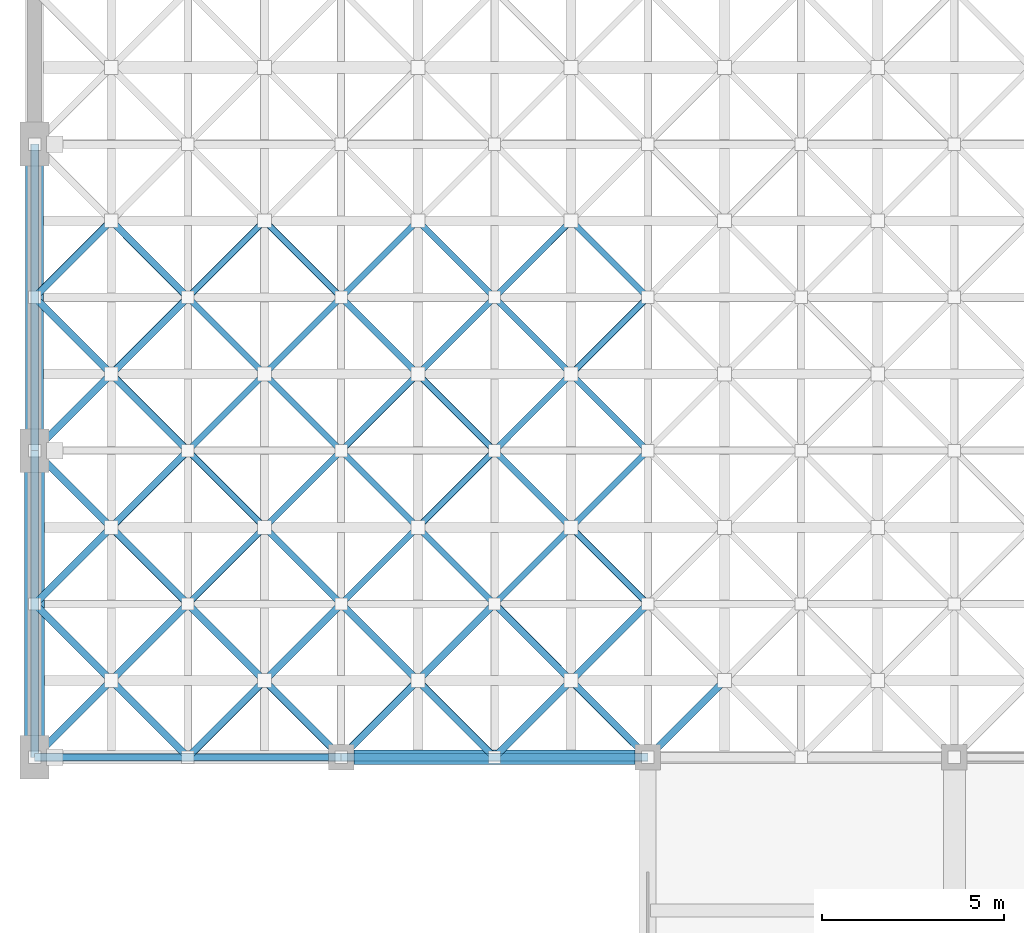
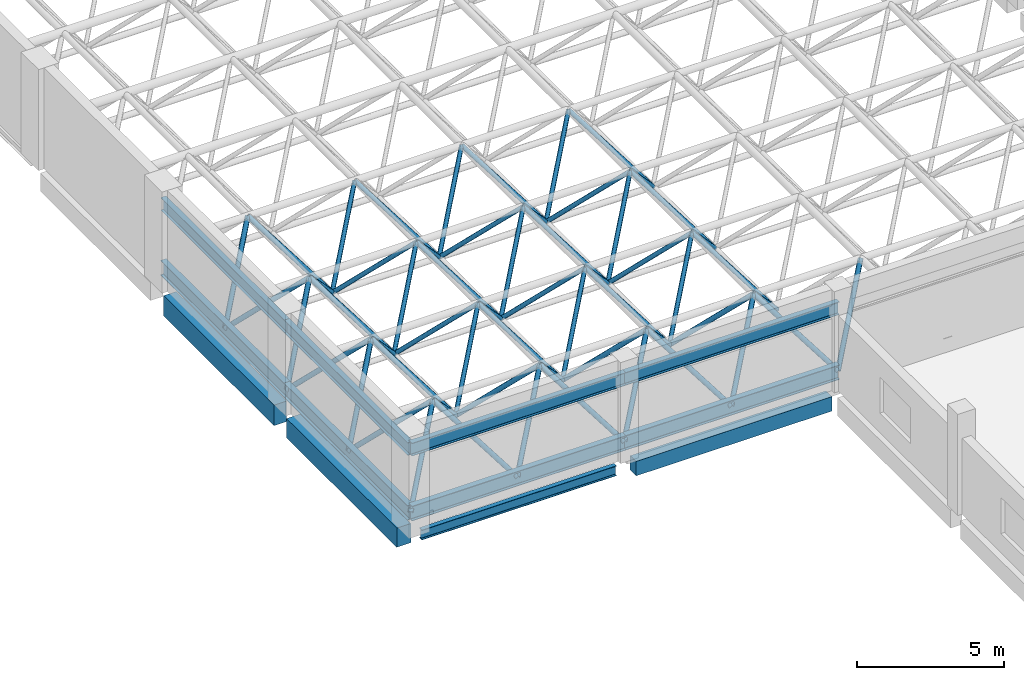
# One storey, part 14 of 64: 57 members, 12 beams.
"""IFC4 building model written with IfcOpenShell, lengths in metres."""

from ifc_helpers import new_model, si_unit, derived_unit, direction, frame, origin, origin_2d, place, context, subcontext, project, spatial, rectangle, hollow_circle, i_section, extrude, material, material_profile, profile_set, type_object, element, save


model = new_model("IFC4")

# Units and contexts
model_context = context("Model", 3, precision=1e-05, world=origin(), true_north=direction((0.0, 1.0)))
body_context = subcontext(model_context, "Body", "Model", "MODEL_VIEW")
ifc_project = project(units=[si_unit("LENGTHUNIT", "METRE"), si_unit("AREAUNIT", "SQUARE_METRE"), si_unit("VOLUMEUNIT", "CUBIC_METRE"), si_unit("PLANEANGLEUNIT", "RADIAN"), si_unit("MASSUNIT", "GRAM", prefix="KILO"), derived_unit("THERMALTRANSMITTANCEUNIT", [(si_unit("POWERUNIT", "WATT"), 1), (si_unit("LENGTHUNIT", "METRE"), -2), (si_unit("THERMODYNAMICTEMPERATUREUNIT", "KELVIN"), -1)])], contexts=[model_context])

# Site, building, storey
site_placement = place(None, origin())
site = spatial("IfcSite", under=ifc_project, at=site_placement, CompositionType="ELEMENT")
building_placement = place(site_placement, origin())
building = spatial("IfcBuilding", under=site, at=building_placement, Name="Barrovel Congress Hotel", CompositionType="ELEMENT")
storey_placement = place(building_placement, frame((0.0, 0.0, 14.10009765625)))
storey = spatial("IfcBuildingStorey", under=building, at=storey_placement, Name="L03", CompositionType="ELEMENT", Elevation=14.10009765625)

# Beams
ifc_material_1 = material(Name="Concrete C40", Category="concrete")
ifc_material_profile_1 = material_profile(ifc_material_1, rectangle(XDim=0.39990234375, YDim=0.60009765625, at=origin_2d()), Name="RC400x600")
ifc_profile_set_1 = profile_set([ifc_material_profile_1], Name="Concrete C40")
beam_type_1 = type_object("IfcBeamType", Name="BM-RC400x600", PredefinedType="BEAM", material=ifc_profile_set_1)
beam_1_placement = place(storey_placement, frame((8.75, 37.800048828125, -0.5400390625), z_axis=(1.0, 0.0, 0.0), x_axis=(0.0, 1.0, 0.0)))
element("IfcBeam", 1, at=beam_1_placement, inside=storey, type_object=beam_type_1, Name="BMX:L03:37.8:8.4-16.8", PredefinedType="BEAM", context=body_context, shape_type="SweptSolid", body=[
    extrude(rectangle(XDim=0.39990234375, YDim=0.60009765625, at=origin_2d()), origin(), (0.0, 0.0, 1.0), 7.699951171875),
])
ifc_material_profile_2 = material_profile(ifc_material_1, rectangle(XDim=0.5, YDim=0.85009765625, at=origin_2d()), Name="RC500x850")
ifc_profile_set_2 = profile_set([ifc_material_profile_2], Name="Concrete C40")
beam_type_2 = type_object("IfcBeamType", Name="BM-RC500x850", PredefinedType="BEAM", material=ifc_profile_set_2)
beam_2_placement = place(storey_placement, frame((0.0, 46.64990234375, -0.6650390625), z_axis=(0.0, 1.0, 0.0), x_axis=(-1.0, 0.0, 0.0)))
element("IfcBeam", 2, at=beam_2_placement, inside=storey, type_object=beam_type_2, Name="BMY:L03:0.0:46.2-54.6", PredefinedType="BEAM", context=body_context, shape_type="SweptSolid", body=[
    extrude(rectangle(XDim=0.5, YDim=0.85009765625, at=origin_2d()), origin(), (0.0, 0.0, 1.0), 7.5),
])
ifc_material_profile_3 = material_profile(ifc_material_1, rectangle(XDim=0.550048828125, YDim=0.800048828125, at=origin_2d()), Name="RC550x800")
ifc_profile_set_3 = profile_set([ifc_material_profile_3], Name="Concrete C40")
beam_type_3 = type_object("IfcBeamType", Name="BM-RC550x800", PredefinedType="BEAM", material=ifc_profile_set_3)
beam_3_placement = place(storey_placement, frame((0.0, 38.25, -0.64013671875), z_axis=(0.0, 1.0, 0.0), x_axis=(-1.0, 0.0, 0.0)))
element("IfcBeam", 3, at=beam_3_placement, inside=storey, type_object=beam_type_3, Name="BMY:L03:0.0:37.8-46.2", PredefinedType="BEAM", context=body_context, shape_type="SweptSolid", body=[
    extrude(rectangle(XDim=0.550048828125, YDim=0.800048828125, at=origin_2d()), origin(), (0.0, 0.0, 1.0), 7.5),
])

# Members
ifc_material_2 = material(Name="Steel ASTM A500 Grade C", Category="steel")
ifc_material_profile_4 = material_profile(ifc_material_2, hollow_circle(Radius=0.084228515625, WallThickness=0.006591796875, at=origin_2d()), Name="CHS168.3x7.1")
ifc_profile_set_4 = profile_set([ifc_material_profile_4], Name="Steel ASTM A500 Grade C")
member_type_1 = type_object("IfcMemberType", Name="MEM-CHS168.3x7.1", PredefinedType="BRACE", material=ifc_profile_set_4)
member_1_placement = place(storey_placement, frame((4.199951171875, 46.199951171875, 0.599853515625), z_axis=(0.527601167383, 0.527601167383, 0.665788266908), x_axis=(-0.707106781187, 0.707106781187, 0.0)))
element("IfcMember", 4, at=member_1_placement, inside=storey, type_object=member_type_1, Name="Space Frame Roof Truss Diagonal 1-2-1", PredefinedType="BRACE", context=body_context, shape_type="SweptSolid", body=[
    extrude(hollow_circle(Radius=0.084228515625, WallThickness=0.006591796875, at=origin_2d()), origin(), (0.0, 0.0, 1.0), 3.98046875),
])
for number, where, z_axis, x_axis, name in (
    (5, (8.39990234375, 46.199951171875, 0.599853515625), (-0.527556903839, 0.527618240532, 0.665809811786), (-0.707147883682, -0.707065676302, 0.0), "Space Frame Roof Truss Diagonal 1-2-2"),
    (6, (4.199951171875, 50.39990234375, 0.599853515625), (0.527618240532, -0.527556903839, 0.665809811786), (0.707065676302, 0.707147883682, 0.0), "Space Frame Roof Truss Diagonal 1-2-3"),
    (7, (8.39990234375, 50.39990234375, 0.599853515625), (-0.527573976661, -0.527573976661, 0.665831358755), (0.707106781187, -0.707106781187, 0.0), "Space Frame Roof Truss Diagonal 1-2-4"),
):
    element("IfcMember", number, at=place(storey_placement, frame(where, z_axis=z_axis, x_axis=x_axis)), inside=storey, type_object=member_type_1, Name=name, PredefinedType="BRACE", context=body_context, shape_type="SweptSolid", body=[
        extrude(hollow_circle(Radius=0.084228515625, WallThickness=0.006591796875, at=origin_2d()), origin(), (0.0, 0.0, 1.0), 3.980224609375),
    ])
for number, where, z_axis, x_axis, name in (
    (8, (8.39990234375, 42.0, 0.599853515625), (0.527601167383, 0.527601167383, 0.665788266908), (-0.707106781187, 0.707106781187, 0.0), "Space Frame Roof Truss Diagonal 2-1-1"),
    (9, (12.60009765625, 42.0, 0.599853515625), (-0.527601167383, 0.527601167383, 0.665788266908), (-0.707106781187, -0.707106781187, 0.0), "Space Frame Roof Truss Diagonal 2-1-2"),
):
    element("IfcMember", number, at=place(storey_placement, frame(where, z_axis=z_axis, x_axis=x_axis)), inside=storey, type_object=member_type_1, Name=name, PredefinedType="BRACE", context=body_context, shape_type="SweptSolid", body=[
        extrude(hollow_circle(Radius=0.084228515625, WallThickness=0.006591796875, at=origin_2d()), origin(), (0.0, 0.0, 1.0), 3.98046875),
    ])
for number, where, z_axis, x_axis, name in (
    (10, (8.39990234375, 46.199951171875, 0.599853515625), (0.527618240532, -0.527556903839, 0.665809811786), (0.707065676302, 0.707147883682, 0.0), "Space Frame Roof Truss Diagonal 2-1-3"),
    (11, (12.60009765625, 46.199951171875, 0.599853515625), (-0.527618240532, -0.527556903839, 0.665809811786), (0.707065676302, -0.707147883682, 0.0), "Space Frame Roof Truss Diagonal 2-1-4"),
):
    element("IfcMember", number, at=place(storey_placement, frame(where, z_axis=z_axis, x_axis=x_axis)), inside=storey, type_object=member_type_1, Name=name, PredefinedType="BRACE", context=body_context, shape_type="SweptSolid", body=[
        extrude(hollow_circle(Radius=0.084228515625, WallThickness=0.006591796875, at=origin_2d()), origin(), (0.0, 0.0, 1.0), 3.980224609375),
    ])
for number, where, z_axis, x_axis, name in (
    (12, (8.39990234375, 50.39990234375, 0.599853515625), (0.527601167383, 0.527601167383, 0.665788266908), (-0.707106781187, 0.707106781187, 0.0), "Space Frame Roof Truss Diagonal 2-3-1"),
    (13, (12.60009765625, 50.39990234375, 0.599853515625), (-0.527601167383, 0.527601167383, 0.665788266908), (-0.707106781187, -0.707106781187, 0.0), "Space Frame Roof Truss Diagonal 2-3-2"),
):
    element("IfcMember", number, at=place(storey_placement, frame(where, z_axis=z_axis, x_axis=x_axis)), inside=storey, type_object=member_type_1, Name=name, PredefinedType="BRACE", context=body_context, shape_type="SweptSolid", body=[
        extrude(hollow_circle(Radius=0.084228515625, WallThickness=0.006591796875, at=origin_2d()), origin(), (0.0, 0.0, 1.0), 3.98046875),
    ])
member_2_placement = place(storey_placement, frame((12.60009765625, 46.199951171875, 0.599853515625), z_axis=(0.527556903839, 0.527618240532, 0.665809811786), x_axis=(-0.707147883682, 0.707065676302, 0.0)))
element("IfcMember", 14, at=member_2_placement, inside=storey, type_object=member_type_1, Name="Space Frame Roof Truss Diagonal 3-2-1", PredefinedType="BRACE", context=body_context, shape_type="SweptSolid", body=[
    extrude(hollow_circle(Radius=0.084228515625, WallThickness=0.006591796875, at=origin_2d()), origin(), (0.0, 0.0, 1.0), 3.980224609375),
])
member_3_placement = place(storey_placement, frame((16.800048828125, 46.199951171875, 0.599853515625), z_axis=(-0.527601167383, 0.527601167383, 0.665788266908), x_axis=(-0.707106781187, -0.707106781187, 0.0)))
element("IfcMember", 15, at=member_3_placement, inside=storey, type_object=member_type_1, Name="Space Frame Roof Truss Diagonal 3-2-2", PredefinedType="BRACE", context=body_context, shape_type="SweptSolid", body=[
    extrude(hollow_circle(Radius=0.084228515625, WallThickness=0.006591796875, at=origin_2d()), origin(), (0.0, 0.0, 1.0), 3.98046875),
])
for number, where, z_axis, x_axis, name in (
    (16, (12.60009765625, 50.39990234375, 0.599853515625), (0.527573976661, -0.527573976661, 0.665831358755), (0.707106781187, 0.707106781187, 0.0), "Space Frame Roof Truss Diagonal 3-2-3"),
    (17, (16.800048828125, 50.39990234375, 0.599853515625), (-0.527618240532, -0.527556903839, 0.665809811786), (0.707065676302, -0.707147883682, 0.0), "Space Frame Roof Truss Diagonal 3-2-4"),
):
    element("IfcMember", number, at=place(storey_placement, frame(where, z_axis=z_axis, x_axis=x_axis)), inside=storey, type_object=member_type_1, Name=name, PredefinedType="BRACE", context=body_context, shape_type="SweptSolid", body=[
        extrude(hollow_circle(Radius=0.084228515625, WallThickness=0.006591796875, at=origin_2d()), origin(), (0.0, 0.0, 1.0), 3.980224609375),
    ])
ifc_material_profile_5 = material_profile(ifc_material_2, hollow_circle(Radius=0.084228515625, WallThickness=0.0087890625, at=origin_2d()), Name="CHS168.3x9.5")
ifc_profile_set_5 = profile_set([ifc_material_profile_5], Name="Steel ASTM A500 Grade C")
member_type_2 = type_object("IfcMemberType", Name="MEM-CHS168.3x9.5", PredefinedType="BRACE", material=ifc_profile_set_5)
member_4_placement = place(storey_placement, frame((4.199951171875, 42.0, 0.599853515625), z_axis=(0.527601167383, 0.527601167383, 0.665788266908), x_axis=(-0.707106781187, 0.707106781187, 0.0)))
element("IfcMember", 18, at=member_4_placement, inside=storey, type_object=member_type_2, Name="Space Frame Roof Truss Diagonal 1-1-1", PredefinedType="BRACE", context=body_context, shape_type="SweptSolid", body=[
    extrude(hollow_circle(Radius=0.084228515625, WallThickness=0.0087890625, at=origin_2d()), origin(), (0.0, 0.0, 1.0), 3.98046875),
])
for number, where, z_axis, x_axis, name in (
    (19, (8.39990234375, 42.0, 0.599853515625), (-0.527556903839, 0.527618240532, 0.665809811786), (-0.707147883682, -0.707065676302, 0.0), "Space Frame Roof Truss Diagonal 1-1-2"),
    (20, (4.199951171875, 46.199951171875, 0.599853515625), (0.527618240532, -0.527556903839, 0.665809811786), (0.707065676302, 0.707147883682, 0.0), "Space Frame Roof Truss Diagonal 1-1-3"),
    (21, (8.39990234375, 46.199951171875, 0.599853515625), (-0.527573976661, -0.527573976661, 0.665831358755), (0.707106781187, -0.707106781187, 0.0), "Space Frame Roof Truss Diagonal 1-1-4"),
):
    element("IfcMember", number, at=place(storey_placement, frame(where, z_axis=z_axis, x_axis=x_axis)), inside=storey, type_object=member_type_2, Name=name, PredefinedType="BRACE", context=body_context, shape_type="SweptSolid", body=[
        extrude(hollow_circle(Radius=0.084228515625, WallThickness=0.0087890625, at=origin_2d()), origin(), (0.0, 0.0, 1.0), 3.980224609375),
    ])
member_5_placement = place(storey_placement, frame((4.199951171875, 50.39990234375, 0.599853515625), z_axis=(0.527601167383, 0.527601167383, 0.665788266908), x_axis=(-0.707106781187, 0.707106781187, 0.0)))
element("IfcMember", 22, at=member_5_placement, inside=storey, type_object=member_type_2, Name="Space Frame Roof Truss Diagonal 1-3-1", PredefinedType="BRACE", context=body_context, shape_type="SweptSolid", body=[
    extrude(hollow_circle(Radius=0.084228515625, WallThickness=0.0087890625, at=origin_2d()), origin(), (0.0, 0.0, 1.0), 3.98046875),
])
member_6_placement = place(storey_placement, frame((8.39990234375, 50.39990234375, 0.599853515625), z_axis=(-0.527556903839, 0.527618240532, 0.665809811786), x_axis=(-0.707147883682, -0.707065676302, 0.0)))
element("IfcMember", 23, at=member_6_placement, inside=storey, type_object=member_type_2, Name="Space Frame Roof Truss Diagonal 1-3-2", PredefinedType="BRACE", context=body_context, shape_type="SweptSolid", body=[
    extrude(hollow_circle(Radius=0.084228515625, WallThickness=0.0087890625, at=origin_2d()), origin(), (0.0, 0.0, 1.0), 3.980224609375),
])
for number, where, z_axis, x_axis, name in (
    (24, (8.39990234375, 46.199951171875, 0.599853515625), (0.527601167383, 0.527601167383, 0.665788266908), (-0.707106781187, 0.707106781187, 0.0), "Space Frame Roof Truss Diagonal 2-2-1"),
    (25, (12.60009765625, 46.199951171875, 0.599853515625), (-0.527601167383, 0.527601167383, 0.665788266908), (-0.707106781187, -0.707106781187, 0.0), "Space Frame Roof Truss Diagonal 2-2-2"),
):
    element("IfcMember", number, at=place(storey_placement, frame(where, z_axis=z_axis, x_axis=x_axis)), inside=storey, type_object=member_type_2, Name=name, PredefinedType="BRACE", context=body_context, shape_type="SweptSolid", body=[
        extrude(hollow_circle(Radius=0.084228515625, WallThickness=0.0087890625, at=origin_2d()), origin(), (0.0, 0.0, 1.0), 3.98046875),
    ])
for number, where, z_axis, x_axis, name in (
    (26, (8.39990234375, 50.39990234375, 0.599853515625), (0.527618240532, -0.527556903839, 0.665809811786), (0.707065676302, 0.707147883682, 0.0), "Space Frame Roof Truss Diagonal 2-2-3"),
    (27, (12.60009765625, 50.39990234375, 0.599853515625), (-0.527618240532, -0.527556903839, 0.665809811786), (0.707065676302, -0.707147883682, 0.0), "Space Frame Roof Truss Diagonal 2-2-4"),
    (28, (12.60009765625, 42.0, 0.599853515625), (0.527556903839, 0.527618240532, 0.665809811786), (-0.707147883682, 0.707065676302, 0.0), "Space Frame Roof Truss Diagonal 3-1-1"),
):
    element("IfcMember", number, at=place(storey_placement, frame(where, z_axis=z_axis, x_axis=x_axis)), inside=storey, type_object=member_type_2, Name=name, PredefinedType="BRACE", context=body_context, shape_type="SweptSolid", body=[
        extrude(hollow_circle(Radius=0.084228515625, WallThickness=0.0087890625, at=origin_2d()), origin(), (0.0, 0.0, 1.0), 3.980224609375),
    ])
member_7_placement = place(storey_placement, frame((16.800048828125, 42.0, 0.599853515625), z_axis=(-0.527601167383, 0.527601167383, 0.665788266908), x_axis=(-0.707106781187, -0.707106781187, 0.0)))
element("IfcMember", 29, at=member_7_placement, inside=storey, type_object=member_type_2, Name="Space Frame Roof Truss Diagonal 3-1-2", PredefinedType="BRACE", context=body_context, shape_type="SweptSolid", body=[
    extrude(hollow_circle(Radius=0.084228515625, WallThickness=0.0087890625, at=origin_2d()), origin(), (0.0, 0.0, 1.0), 3.98046875),
])
for number, where, z_axis, x_axis, name in (
    (30, (12.60009765625, 46.199951171875, 0.599853515625), (0.527573976661, -0.527573976661, 0.665831358755), (0.707106781187, 0.707106781187, 0.0), "Space Frame Roof Truss Diagonal 3-1-3"),
    (31, (16.800048828125, 46.199951171875, 0.599853515625), (-0.527618240532, -0.527556903839, 0.665809811786), (0.707065676302, -0.707147883682, 0.0), "Space Frame Roof Truss Diagonal 3-1-4"),
    (32, (12.60009765625, 50.39990234375, 0.599853515625), (0.527556903839, 0.527618240532, 0.665809811786), (-0.707147883682, 0.707065676302, 0.0), "Space Frame Roof Truss Diagonal 3-3-1"),
):
    element("IfcMember", number, at=place(storey_placement, frame(where, z_axis=z_axis, x_axis=x_axis)), inside=storey, type_object=member_type_2, Name=name, PredefinedType="BRACE", context=body_context, shape_type="SweptSolid", body=[
        extrude(hollow_circle(Radius=0.084228515625, WallThickness=0.0087890625, at=origin_2d()), origin(), (0.0, 0.0, 1.0), 3.980224609375),
    ])
member_8_placement = place(storey_placement, frame((16.800048828125, 50.39990234375, 0.599853515625), z_axis=(-0.527601167383, 0.527601167383, 0.665788266908), x_axis=(-0.707106781187, -0.707106781187, 0.0)))
element("IfcMember", 33, at=member_8_placement, inside=storey, type_object=member_type_2, Name="Space Frame Roof Truss Diagonal 3-3-2", PredefinedType="BRACE", context=body_context, shape_type="SweptSolid", body=[
    extrude(hollow_circle(Radius=0.084228515625, WallThickness=0.0087890625, at=origin_2d()), origin(), (0.0, 0.0, 1.0), 3.98046875),
])
ifc_material_profile_6 = material_profile(ifc_material_2, hollow_circle(Radius=0.096923828125, WallThickness=0.0087890625, at=origin_2d()), Name="CHS193.7x9.5")
ifc_profile_set_6 = profile_set([ifc_material_profile_6], Name="Steel ASTM A500 Grade C")
member_type_3 = type_object("IfcMemberType", Name="MEM-CHS193.7x9.5", PredefinedType="BRACE", material=ifc_profile_set_6)
for number, where, z_axis, x_axis, name in (
    (34, (0.0, 37.800048828125, 0.599853515625), (0.527618240532, 0.527556903839, 0.665809811786), (-0.707065676302, 0.707147883682, 0.0), "Space Frame Roof Truss Diagonal 0-0-1"),
    (35, (4.199951171875, 37.800048828125, 0.599853515625), (-0.527573976661, 0.527573976661, 0.665831358755), (-0.707106781187, -0.707106781187, 0.0), "Space Frame Roof Truss Diagonal 0-0-2"),
):
    element("IfcMember", number, at=place(storey_placement, frame(where, z_axis=z_axis, x_axis=x_axis)), inside=storey, type_object=member_type_3, Name=name, PredefinedType="BRACE", context=body_context, shape_type="SweptSolid", body=[
        extrude(hollow_circle(Radius=0.096923828125, WallThickness=0.0087890625, at=origin_2d()), origin(), (0.0, 0.0, 1.0), 3.980224609375),
    ])
member_9_placement = place(storey_placement, frame((0.0, 42.0, 0.599853515625), z_axis=(0.527601167383, -0.527601167383, 0.665788266908), x_axis=(0.707106781187, 0.707106781187, 0.0)))
element("IfcMember", 36, at=member_9_placement, inside=storey, type_object=member_type_3, Name="Space Frame Roof Truss Diagonal 0-0-3", PredefinedType="BRACE", context=body_context, shape_type="SweptSolid", body=[
    extrude(hollow_circle(Radius=0.096923828125, WallThickness=0.0087890625, at=origin_2d()), origin(), (0.0, 0.0, 1.0), 3.98046875),
])
member_10_placement = place(storey_placement, frame((4.199951171875, 42.0, 0.599853515625), z_axis=(-0.527556903839, -0.527618240532, 0.665809811786), x_axis=(0.707147883682, -0.707065676302, 0.0)))
element("IfcMember", 37, at=member_10_placement, inside=storey, type_object=member_type_3, Name="Space Frame Roof Truss Diagonal 0-0-4", PredefinedType="BRACE", context=body_context, shape_type="SweptSolid", body=[
    extrude(hollow_circle(Radius=0.096923828125, WallThickness=0.0087890625, at=origin_2d()), origin(), (0.0, 0.0, 1.0), 3.980224609375),
])
member_11_placement = place(storey_placement, frame((0.0, 42.0, 0.599853515625), z_axis=(0.527601167383, 0.527601167383, 0.665788266908), x_axis=(-0.707106781187, 0.707106781187, 0.0)))
element("IfcMember", 38, at=member_11_placement, inside=storey, type_object=member_type_3, Name="Space Frame Roof Truss Diagonal 0-1-1", PredefinedType="BRACE", context=body_context, shape_type="SweptSolid", body=[
    extrude(hollow_circle(Radius=0.096923828125, WallThickness=0.0087890625, at=origin_2d()), origin(), (0.0, 0.0, 1.0), 3.98046875),
])
for number, where, z_axis, x_axis, name in (
    (39, (4.199951171875, 42.0, 0.599853515625), (-0.527556903839, 0.527618240532, 0.665809811786), (-0.707147883682, -0.707065676302, 0.0), "Space Frame Roof Truss Diagonal 0-1-2"),
    (40, (0.0, 46.199951171875, 0.599853515625), (0.527618240532, -0.527556903839, 0.665809811786), (0.707065676302, 0.707147883682, 0.0), "Space Frame Roof Truss Diagonal 0-1-3"),
    (41, (4.199951171875, 46.199951171875, 0.599853515625), (-0.527573976661, -0.527573976661, 0.665831358755), (0.707106781187, -0.707106781187, 0.0), "Space Frame Roof Truss Diagonal 0-1-4"),
):
    element("IfcMember", number, at=place(storey_placement, frame(where, z_axis=z_axis, x_axis=x_axis)), inside=storey, type_object=member_type_3, Name=name, PredefinedType="BRACE", context=body_context, shape_type="SweptSolid", body=[
        extrude(hollow_circle(Radius=0.096923828125, WallThickness=0.0087890625, at=origin_2d()), origin(), (0.0, 0.0, 1.0), 3.980224609375),
    ])
member_12_placement = place(storey_placement, frame((0.0, 46.199951171875, 0.599853515625), z_axis=(0.527601167383, 0.527601167383, 0.665788266908), x_axis=(-0.707106781187, 0.707106781187, 0.0)))
element("IfcMember", 42, at=member_12_placement, inside=storey, type_object=member_type_3, Name="Space Frame Roof Truss Diagonal 0-2-1", PredefinedType="BRACE", context=body_context, shape_type="SweptSolid", body=[
    extrude(hollow_circle(Radius=0.096923828125, WallThickness=0.0087890625, at=origin_2d()), origin(), (0.0, 0.0, 1.0), 3.98046875),
])
for number, where, z_axis, x_axis, name in (
    (43, (4.199951171875, 46.199951171875, 0.599853515625), (-0.527556903839, 0.527618240532, 0.665809811786), (-0.707147883682, -0.707065676302, 0.0), "Space Frame Roof Truss Diagonal 0-2-2"),
    (44, (0.0, 50.39990234375, 0.599853515625), (0.527618240532, -0.527556903839, 0.665809811786), (0.707065676302, 0.707147883682, 0.0), "Space Frame Roof Truss Diagonal 0-2-3"),
    (45, (4.199951171875, 50.39990234375, 0.599853515625), (-0.527573976661, -0.527573976661, 0.665831358755), (0.707106781187, -0.707106781187, 0.0), "Space Frame Roof Truss Diagonal 0-2-4"),
):
    element("IfcMember", number, at=place(storey_placement, frame(where, z_axis=z_axis, x_axis=x_axis)), inside=storey, type_object=member_type_3, Name=name, PredefinedType="BRACE", context=body_context, shape_type="SweptSolid", body=[
        extrude(hollow_circle(Radius=0.096923828125, WallThickness=0.0087890625, at=origin_2d()), origin(), (0.0, 0.0, 1.0), 3.980224609375),
    ])
member_13_placement = place(storey_placement, frame((0.0, 50.39990234375, 0.599853515625), z_axis=(0.527601167383, 0.527601167383, 0.665788266908), x_axis=(-0.707106781187, 0.707106781187, 0.0)))
element("IfcMember", 46, at=member_13_placement, inside=storey, type_object=member_type_3, Name="Space Frame Roof Truss Diagonal 0-3-1", PredefinedType="BRACE", context=body_context, shape_type="SweptSolid", body=[
    extrude(hollow_circle(Radius=0.096923828125, WallThickness=0.0087890625, at=origin_2d()), origin(), (0.0, 0.0, 1.0), 3.98046875),
])
for number, where, z_axis, x_axis, name in (
    (47, (4.199951171875, 50.39990234375, 0.599853515625), (-0.527556903839, 0.527618240532, 0.665809811786), (-0.707147883682, -0.707065676302, 0.0), "Space Frame Roof Truss Diagonal 0-3-2"),
    (48, (4.199951171875, 37.800048828125, 0.599853515625), (0.527618240532, 0.527556903839, 0.665809811786), (-0.707065676302, 0.707147883682, 0.0), "Space Frame Roof Truss Diagonal 1-0-1"),
    (49, (8.39990234375, 37.800048828125, 0.599853515625), (-0.527573976661, 0.527573976661, 0.665831358755), (-0.707106781187, -0.707106781187, 0.0), "Space Frame Roof Truss Diagonal 1-0-2"),
):
    element("IfcMember", number, at=place(storey_placement, frame(where, z_axis=z_axis, x_axis=x_axis)), inside=storey, type_object=member_type_3, Name=name, PredefinedType="BRACE", context=body_context, shape_type="SweptSolid", body=[
        extrude(hollow_circle(Radius=0.096923828125, WallThickness=0.0087890625, at=origin_2d()), origin(), (0.0, 0.0, 1.0), 3.980224609375),
    ])
member_14_placement = place(storey_placement, frame((4.199951171875, 42.0, 0.599853515625), z_axis=(0.527601167383, -0.527601167383, 0.665788266908), x_axis=(0.707106781187, 0.707106781187, 0.0)))
element("IfcMember", 50, at=member_14_placement, inside=storey, type_object=member_type_3, Name="Space Frame Roof Truss Diagonal 1-0-3", PredefinedType="BRACE", context=body_context, shape_type="SweptSolid", body=[
    extrude(hollow_circle(Radius=0.096923828125, WallThickness=0.0087890625, at=origin_2d()), origin(), (0.0, 0.0, 1.0), 3.98046875),
])
for number, where, z_axis, x_axis, name in (
    (51, (8.39990234375, 42.0, 0.599853515625), (-0.527556903839, -0.527618240532, 0.665809811786), (0.707147883682, -0.707065676302, 0.0), "Space Frame Roof Truss Diagonal 1-0-4"),
    (52, (8.39990234375, 37.800048828125, 0.599853515625), (0.527618240532, 0.527556903839, 0.665809811786), (-0.707065676302, 0.707147883682, 0.0), "Space Frame Roof Truss Diagonal 2-0-1"),
    (53, (12.60009765625, 37.800048828125, 0.599853515625), (-0.527618240532, 0.527556903839, 0.665809811786), (-0.707065676302, -0.707147883682, 0.0), "Space Frame Roof Truss Diagonal 2-0-2"),
):
    element("IfcMember", number, at=place(storey_placement, frame(where, z_axis=z_axis, x_axis=x_axis)), inside=storey, type_object=member_type_3, Name=name, PredefinedType="BRACE", context=body_context, shape_type="SweptSolid", body=[
        extrude(hollow_circle(Radius=0.096923828125, WallThickness=0.0087890625, at=origin_2d()), origin(), (0.0, 0.0, 1.0), 3.980224609375),
    ])
for number, where, z_axis, x_axis, name in (
    (54, (8.39990234375, 42.0, 0.599853515625), (0.527601167383, -0.527601167383, 0.665788266908), (0.707106781187, 0.707106781187, 0.0), "Space Frame Roof Truss Diagonal 2-0-3"),
    (55, (12.60009765625, 42.0, 0.599853515625), (-0.527601167383, -0.527601167383, 0.665788266908), (0.707106781187, -0.707106781187, 0.0), "Space Frame Roof Truss Diagonal 2-0-4"),
):
    element("IfcMember", number, at=place(storey_placement, frame(where, z_axis=z_axis, x_axis=x_axis)), inside=storey, type_object=member_type_3, Name=name, PredefinedType="BRACE", context=body_context, shape_type="SweptSolid", body=[
        extrude(hollow_circle(Radius=0.096923828125, WallThickness=0.0087890625, at=origin_2d()), origin(), (0.0, 0.0, 1.0), 3.98046875),
    ])
for number, where, z_axis, x_axis, name in (
    (56, (12.60009765625, 37.800048828125, 0.599853515625), (0.527573976661, 0.527573976661, 0.665831358755), (-0.707106781187, 0.707106781187, 0.0), "Space Frame Roof Truss Diagonal 3-0-1"),
    (57, (16.800048828125, 37.800048828125, 0.599853515625), (-0.527618240532, 0.527556903839, 0.665809811786), (-0.707065676302, -0.707147883682, 0.0), "Space Frame Roof Truss Diagonal 3-0-2"),
    (58, (12.60009765625, 42.0, 0.599853515625), (0.527556903839, -0.527618240532, 0.665809811786), (0.707147883682, 0.707065676302, 0.0), "Space Frame Roof Truss Diagonal 3-0-3"),
):
    element("IfcMember", number, at=place(storey_placement, frame(where, z_axis=z_axis, x_axis=x_axis)), inside=storey, type_object=member_type_3, Name=name, PredefinedType="BRACE", context=body_context, shape_type="SweptSolid", body=[
        extrude(hollow_circle(Radius=0.096923828125, WallThickness=0.0087890625, at=origin_2d()), origin(), (0.0, 0.0, 1.0), 3.980224609375),
    ])
member_15_placement = place(storey_placement, frame((16.800048828125, 42.0, 0.599853515625), z_axis=(-0.527601167383, -0.527601167383, 0.665788266908), x_axis=(0.707106781187, -0.707106781187, 0.0)))
element("IfcMember", 59, at=member_15_placement, inside=storey, type_object=member_type_3, Name="Space Frame Roof Truss Diagonal 3-0-4", PredefinedType="BRACE", context=body_context, shape_type="SweptSolid", body=[
    extrude(hollow_circle(Radius=0.096923828125, WallThickness=0.0087890625, at=origin_2d()), origin(), (0.0, 0.0, 1.0), 3.98046875),
])
member_16_placement = place(storey_placement, frame((16.800048828125, 37.800048828125, 0.599853515625), z_axis=(0.527573976661, 0.527573976661, 0.665831358755), x_axis=(-0.707106781187, 0.707106781187, 0.0)))
element("IfcMember", 60, at=member_16_placement, inside=storey, type_object=member_type_3, Name="Space Frame Roof Truss Diagonal 4-0-1", PredefinedType="BRACE", context=body_context, shape_type="SweptSolid", body=[
    extrude(hollow_circle(Radius=0.096923828125, WallThickness=0.0087890625, at=origin_2d()), origin(), (0.0, 0.0, 1.0), 3.980224609375),
])

# Beams
ifc_material_3 = material(Name="Steel ASTM A992 Grade 50", Category="steel")
ifc_material_profile_7 = material_profile(ifc_material_3, i_section(OverallWidth=0.178955078125, OverallDepth=0.409912109375, WebThickness=0.0087890625, FlangeThickness=0.014404296875, FilletRadius=0.011962890625, at=origin_2d()), Name="W410x67")
ifc_profile_set_7 = profile_set([ifc_material_profile_7], Name="Steel ASTM A992 Grade 50")
beam_type_4 = type_object("IfcBeamType", Name="SBM-W410x67", PredefinedType="BEAM", material=ifc_profile_set_7)
beam_4_placement = place(storey_placement, frame((0.39990234375, 37.800048828125, -0.445068359375), z_axis=(1.0, 0.0, 0.0), x_axis=(0.0, 1.0, 0.0)))
element("IfcBeam", 61, at=beam_4_placement, inside=storey, type_object=beam_type_4, Name="BMX:L03:37.8:0.0-8.4", PredefinedType="BEAM", context=body_context, shape_type="SweptSolid", body=[
    extrude(i_section(OverallWidth=0.178955078125, OverallDepth=0.409912109375, WebThickness=0.0087890625, FlangeThickness=0.014404296875, FilletRadius=0.011962890625, at=origin_2d()), origin(), (0.0, 0.0, 1.0), 7.650146484375),
])
ifc_material_profile_8 = material_profile(ifc_material_3, i_section(OverallWidth=0.208984375, OverallDepth=0.532958984375, WebThickness=0.01025390625, FlangeThickness=0.015625, FilletRadius=0.013916015625, at=origin_2d()), Name="W530x92")
ifc_profile_set_8 = profile_set([ifc_material_profile_8], Name="Steel ASTM A992 Grade 50")
beam_type_5 = type_object("IfcBeamType", Name="SBM-W530x92", PredefinedType="BEAM", material=ifc_profile_set_8)
beam_5_placement = place(storey_placement, frame((0.0, 37.800048828125, 3.25), z_axis=(0.0, 1.0, 0.0), x_axis=(-1.0, 0.0, 0.0)))
element("IfcBeam", 62, at=beam_5_placement, inside=storey, type_object=beam_type_5, Name="Congress Roof Truss Upper Collector 0-1", PredefinedType="BEAM", context=body_context, shape_type="SweptSolid", body=[
    extrude(i_section(OverallWidth=0.208984375, OverallDepth=0.532958984375, WebThickness=0.01025390625, FlangeThickness=0.015625, FilletRadius=0.013916015625, at=origin_2d()), origin(), (0.0, 0.0, 1.0), 8.39990234375),
])
beam_6_placement = place(storey_placement, frame((0.0, 46.199951171875, 3.25), z_axis=(0.0, 1.0, 0.0), x_axis=(-1.0, 0.0, 0.0)))
element("IfcBeam", 63, at=beam_6_placement, inside=storey, type_object=beam_type_5, Name="Congress Roof Truss Upper Collector 0-2", PredefinedType="BEAM", context=body_context, shape_type="SweptSolid", body=[
    extrude(i_section(OverallWidth=0.208984375, OverallDepth=0.532958984375, WebThickness=0.01025390625, FlangeThickness=0.015625, FilletRadius=0.013916015625, at=origin_2d()), origin(), (0.0, 0.0, 1.0), 8.400146484375),
])
beam_7_placement = place(storey_placement, frame((0.0, 37.800048828125, 3.25), z_axis=(1.0, 0.0, 0.0), x_axis=(0.0, 1.0, 0.0)))
element("IfcBeam", 64, at=beam_7_placement, inside=storey, type_object=beam_type_5, Name="Congress Roof Truss Upper End Collector 38-1", PredefinedType="BEAM", context=body_context, shape_type="SweptSolid", body=[
    extrude(i_section(OverallWidth=0.208984375, OverallDepth=0.532958984375, WebThickness=0.01025390625, FlangeThickness=0.015625, FilletRadius=0.013916015625, at=origin_2d()), origin(), (0.0, 0.0, 1.0), 8.39990234375),
])
beam_8_placement = place(storey_placement, frame((8.39990234375, 37.800048828125, 3.25), z_axis=(1.0, 0.0, 0.0), x_axis=(0.0, 1.0, 0.0)))
element("IfcBeam", 65, at=beam_8_placement, inside=storey, type_object=beam_type_5, Name="Congress Roof Truss Upper End Collector 38-2", PredefinedType="BEAM", context=body_context, shape_type="SweptSolid", body=[
    extrude(i_section(OverallWidth=0.208984375, OverallDepth=0.532958984375, WebThickness=0.01025390625, FlangeThickness=0.015625, FilletRadius=0.013916015625, at=origin_2d()), origin(), (0.0, 0.0, 1.0), 8.400146484375),
])
ifc_material_profile_9 = material_profile(ifc_material_3, i_section(OverallWidth=0.22900390625, OverallDepth=0.612060546875, WebThickness=0.011962890625, FlangeThickness=0.01953125, FilletRadius=0.014892578125, at=origin_2d()), Name="W610x125")
ifc_profile_set_9 = profile_set([ifc_material_profile_9], Name="Steel ASTM A992 Grade 50")
beam_type_6 = type_object("IfcBeamType", Name="SBM-W610x125", PredefinedType="BEAM", material=ifc_profile_set_9)
beam_9_placement = place(storey_placement, frame((0.0, 37.800048828125, 0.599853515625), z_axis=(0.0, 1.0, 0.0), x_axis=(-1.0, 0.0, 0.0)))
element("IfcBeam", 66, at=beam_9_placement, inside=storey, type_object=beam_type_6, Name="Congress Roof Truss Collector Beam 0-1", PredefinedType="BEAM", context=body_context, shape_type="SweptSolid", body=[
    extrude(i_section(OverallWidth=0.22900390625, OverallDepth=0.612060546875, WebThickness=0.011962890625, FlangeThickness=0.01953125, FilletRadius=0.014892578125, at=origin_2d()), origin(), (0.0, 0.0, 1.0), 8.39990234375),
])
beam_10_placement = place(storey_placement, frame((0.0, 46.199951171875, 0.599853515625), z_axis=(0.0, 1.0, 0.0), x_axis=(-1.0, 0.0, 0.0)))
element("IfcBeam", 67, at=beam_10_placement, inside=storey, type_object=beam_type_6, Name="Congress Roof Truss Collector Beam 0-2", PredefinedType="BEAM", context=body_context, shape_type="SweptSolid", body=[
    extrude(i_section(OverallWidth=0.22900390625, OverallDepth=0.612060546875, WebThickness=0.011962890625, FlangeThickness=0.01953125, FilletRadius=0.014892578125, at=origin_2d()), origin(), (0.0, 0.0, 1.0), 8.400146484375),
])
beam_11_placement = place(storey_placement, frame((0.0, 37.800048828125, 0.599853515625), z_axis=(1.0, 0.0, 0.0), x_axis=(0.0, 1.0, 0.0)))
element("IfcBeam", 68, at=beam_11_placement, inside=storey, type_object=beam_type_6, Name="Congress Roof Truss End Collector 38-1", PredefinedType="BEAM", context=body_context, shape_type="SweptSolid", body=[
    extrude(i_section(OverallWidth=0.22900390625, OverallDepth=0.612060546875, WebThickness=0.011962890625, FlangeThickness=0.01953125, FilletRadius=0.014892578125, at=origin_2d()), origin(), (0.0, 0.0, 1.0), 8.39990234375),
])
beam_12_placement = place(storey_placement, frame((8.39990234375, 37.800048828125, 0.599853515625), z_axis=(1.0, 0.0, 0.0), x_axis=(0.0, 1.0, 0.0)))
element("IfcBeam", 69, at=beam_12_placement, inside=storey, type_object=beam_type_6, Name="Congress Roof Truss End Collector 38-2", PredefinedType="BEAM", context=body_context, shape_type="SweptSolid", body=[
    extrude(i_section(OverallWidth=0.22900390625, OverallDepth=0.612060546875, WebThickness=0.011962890625, FlangeThickness=0.01953125, FilletRadius=0.014892578125, at=origin_2d()), origin(), (0.0, 0.0, 1.0), 8.400146484375),
])

save(model, "model.ifc")
